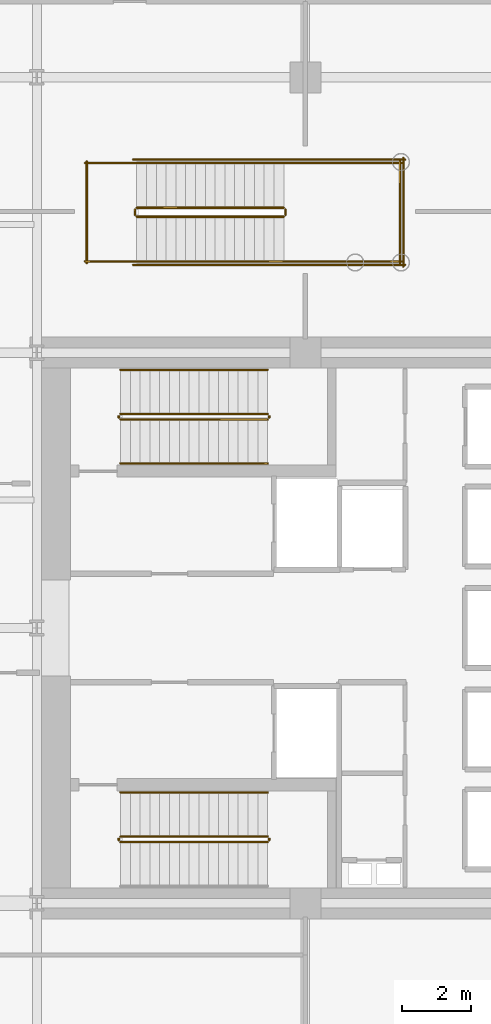
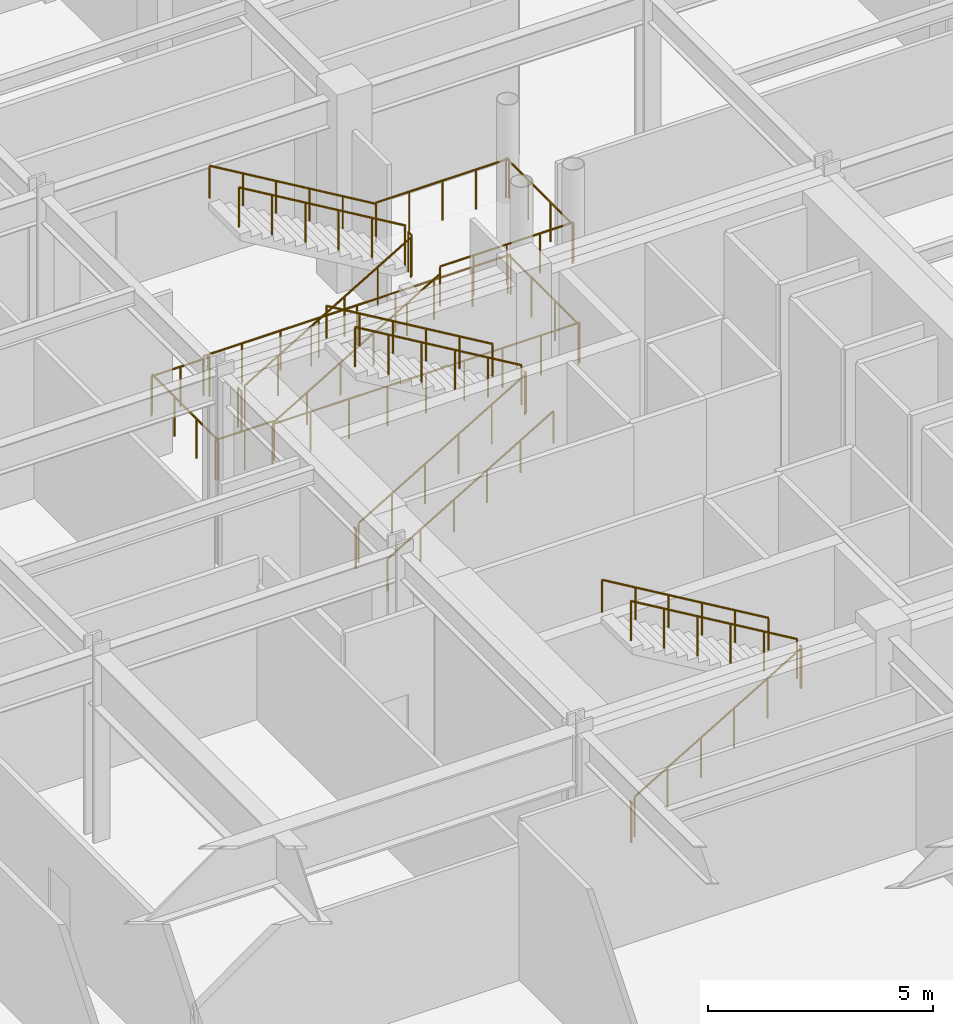
# One storey, part 13 of 13: 26 railings.
"""IFC4 building model written with IfcOpenShell, lengths in metres."""

from ifc_helpers import new_model, si_unit, direction, frame, origin, origin_2d, place, context, subcontext, project, spatial, circle, extrude, material, type_object, element, save


model = new_model("IFC4")

# Units and contexts
model_context = context("Model", 3, precision=1e-05, world=origin(), true_north=direction((0.0, 1.0)))
body_context = subcontext(model_context, "Body", "Model", "MODEL_VIEW")
ifc_project = project(units=[si_unit("LENGTHUNIT", "METRE"), si_unit("AREAUNIT", "SQUARE_METRE"), si_unit("VOLUMEUNIT", "CUBIC_METRE"), si_unit("PLANEANGLEUNIT", "RADIAN"), si_unit("MASSUNIT", "GRAM", prefix="KILO")], contexts=[model_context])

# Site, building, storey
site_placement = place(None, origin())
site = spatial("IfcSite", under=ifc_project, at=site_placement, CompositionType="ELEMENT")
building_placement = place(site_placement, origin())
building = spatial("IfcBuilding", under=site, at=building_placement, Name="Veymaron Broadcast Tower", CompositionType="ELEMENT")
storey_placement = place(building_placement, frame((0.0, 0.0, 21.60009765625)))
storey = spatial("IfcBuildingStorey", under=building, at=storey_placement, Name="L04", CompositionType="ELEMENT", Elevation=21.60009765625)

# Railings
ifc_material_1 = material(Name="Brushed stainless steel AISI 304", Category="steel")
railing_type_1 = type_object("IfcRailingType", Name="RAIL-STAIR-HR", PredefinedType="HANDRAIL", material=ifc_material_1)
railing_1_placement = place(storey_placement, frame((41.429931640625, 28.780029296875, 0.168701171875)))
element("IfcRailing", 1, at=railing_1_placement, inside=storey, type_object=railing_type_1, Name="L04 ST1 stair handrail 1", PredefinedType="HANDRAIL", context=body_context, shape_type="SweptSolid", body=[
    extrude(circle(Radius=0.02392578125, at=origin_2d()), frame((0.0, 0.0, 0.8759765625), z_axis=(0.860483042394, 0.0, 0.50947908078), x_axis=(0.0, 1.0, 0.0)), (0.0, 0.0, 1.0), 4.96826171875),
    extrude(circle(Radius=0.02099609375, at=origin_2d()), origin(), (0.0, 0.0, 1.0), 0.851806640625),
    extrude(circle(Radius=0.02099609375, at=origin_2d()), frame((0.85498046875, 0.0, 0.50634765625)), (0.0, 0.0, 1.0), 0.851806640625),
    extrude(circle(Radius=0.02099609375, at=origin_2d()), frame((1.7099609375, 0.0, 1.012451171875)), (0.0, 0.0, 1.0), 0.851806640625),
    extrude(circle(Radius=0.02099609375, at=origin_2d()), frame((2.565185546875, 0.0, 1.518798828125)), (0.0, 0.0, 1.0), 0.851806640625),
    extrude(circle(Radius=0.02099609375, at=origin_2d()), frame((3.420166015625, 0.0, 2.02490234375)), (0.0, 0.0, 1.0), 0.851806640625),
    extrude(circle(Radius=0.02099609375, at=origin_2d()), frame((4.275146484375, 0.0, 2.53125)), (0.0, 0.0, 1.0), 0.851806640625),
])
for number, where, name in (
    (2, (45.705078125, 31.5, 2.86865234375), "L04 ST1 stair handrail 2"),
    (3, (45.705078125, 19.219970703125, 2.86865234375), "L04 ST2 stair handrail 2"),
):
    element("IfcRailing", number, at=place(storey_placement, frame(where)), inside=storey, type_object=railing_type_1, Name=name, PredefinedType="HANDRAIL", context=body_context, shape_type="SweptSolid", body=[
        extrude(circle(Radius=0.02392578125, at=origin_2d()), frame((0.0, 0.0, 0.8759765625), z_axis=(-0.860483042394, 0.0, 0.50947908078), x_axis=(0.0, -1.0, 0.0)), (0.0, 0.0, 1.0), 4.96826171875),
        extrude(circle(Radius=0.02099609375, at=origin_2d()), origin(), (0.0, 0.0, 1.0), 0.851806640625),
        extrude(circle(Radius=0.02099609375, at=origin_2d()), frame((-0.85498046875, 0.0, 0.50634765625)), (0.0, 0.0, 1.0), 0.851806640625),
        extrude(circle(Radius=0.02099609375, at=origin_2d()), frame((-1.7099609375, 0.0, 1.012451171875)), (0.0, 0.0, 1.0), 0.851806640625),
        extrude(circle(Radius=0.02099609375, at=origin_2d()), frame((-2.565185546875, 0.0, 1.518798828125)), (0.0, 0.0, 1.0), 0.851806640625),
        extrude(circle(Radius=0.02099609375, at=origin_2d()), frame((-3.420166015625, 0.0, 2.02490234375)), (0.0, 0.0, 1.0), 0.851806640625),
        extrude(circle(Radius=0.02099609375, at=origin_2d()), frame((-4.275146484375, 0.0, 2.53125)), (0.0, 0.0, 1.0), 0.851806640625),
    ])
railing_2_placement = place(storey_placement, frame((41.89990234375, 34.64990234375, 0.168701171875)))
element("IfcRailing", 4, at=railing_2_placement, inside=storey, type_object=railing_type_1, Name="L04 STF1 stair handrail 1", PredefinedType="HANDRAIL", context=body_context, shape_type="SweptSolid", body=[
    extrude(circle(Radius=0.02392578125, at=origin_2d()), frame((0.0, 0.0, 0.8759765625), z_axis=(0.860483042394, 0.0, 0.50947908078), x_axis=(0.0, 1.0, 0.0)), (0.0, 0.0, 1.0), 4.96826171875),
    extrude(circle(Radius=0.02099609375, at=origin_2d()), origin(), (0.0, 0.0, 1.0), 0.851806640625),
    extrude(circle(Radius=0.02099609375, at=origin_2d()), frame((0.85498046875, 0.0, 0.50634765625)), (0.0, 0.0, 1.0), 0.851806640625),
    extrude(circle(Radius=0.02099609375, at=origin_2d()), frame((1.7099609375, 0.0, 1.012451171875)), (0.0, 0.0, 1.0), 0.851806640625),
    extrude(circle(Radius=0.02099609375, at=origin_2d()), frame((2.565185546875, 0.0, 1.518798828125)), (0.0, 0.0, 1.0), 0.851806640625),
    extrude(circle(Radius=0.02099609375, at=origin_2d()), frame((3.420166015625, 0.0, 2.02490234375)), (0.0, 0.0, 1.0), 0.851806640625),
    extrude(circle(Radius=0.02099609375, at=origin_2d()), frame((4.275146484375, 0.0, 2.53125)), (0.0, 0.0, 1.0), 0.851806640625),
])
railing_3_placement = place(storey_placement, frame((46.175048828125, 37.510009765625, 2.86865234375)))
element("IfcRailing", 5, at=railing_3_placement, inside=storey, type_object=railing_type_1, Name="L04 STF1 stair handrail 2", PredefinedType="HANDRAIL", context=body_context, shape_type="SweptSolid", body=[
    extrude(circle(Radius=0.02392578125, at=origin_2d()), frame((0.0, 0.0, 0.8759765625), z_axis=(-0.860483042394, 0.0, 0.50947908078), x_axis=(0.0, -1.0, 0.0)), (0.0, 0.0, 1.0), 4.96826171875),
    extrude(circle(Radius=0.02099609375, at=origin_2d()), origin(), (0.0, 0.0, 1.0), 0.851806640625),
    extrude(circle(Radius=0.02099609375, at=origin_2d()), frame((-0.85498046875, 0.0, 0.50634765625)), (0.0, 0.0, 1.0), 0.851806640625),
    extrude(circle(Radius=0.02099609375, at=origin_2d()), frame((-1.7099609375, 0.0, 1.012451171875)), (0.0, 0.0, 1.0), 0.851806640625),
    extrude(circle(Radius=0.02099609375, at=origin_2d()), frame((-2.565185546875, 0.0, 1.518798828125)), (0.0, 0.0, 1.0), 0.851806640625),
    extrude(circle(Radius=0.02099609375, at=origin_2d()), frame((-3.420166015625, 0.0, 2.02490234375)), (0.0, 0.0, 1.0), 0.851806640625),
    extrude(circle(Radius=0.02099609375, at=origin_2d()), frame((-4.275146484375, 0.0, 2.53125)), (0.0, 0.0, 1.0), 0.851806640625),
])
ifc_material_2 = material(Name="Painted galvanized steel balustrade", Category="steel")
railing_type_2 = type_object("IfcRailingType", Name="RAIL-WELL-GRD", PredefinedType="GUARDRAIL", material=ifc_material_2)
railing_4_placement = place(storey_placement, frame((41.429931640625, 30.06005859375, 0.168701171875)))
element("IfcRailing", 6, at=railing_4_placement, inside=storey, type_object=railing_type_2, Name="L04 ST1 stair guard 1", PredefinedType="GUARDRAIL", context=body_context, shape_type="SweptSolid", body=[
    extrude(circle(Radius=0.02392578125, at=origin_2d()), frame((0.0, 0.0, 1.076171875), z_axis=(0.860483042394, 0.0, 0.50947908078), x_axis=(0.0, 1.0, 0.0)), (0.0, 0.0, 1.0), 4.96826171875),
    extrude(circle(Radius=0.02099609375, at=origin_2d()), origin(), (0.0, 0.0, 1.0), 1.052001953125),
    extrude(circle(Radius=0.02099609375, at=origin_2d()), frame((0.85498046875, 0.0, 0.50634765625)), (0.0, 0.0, 1.0), 1.052001953125),
    extrude(circle(Radius=0.02099609375, at=origin_2d()), frame((1.7099609375, 0.0, 1.012451171875)), (0.0, 0.0, 1.0), 1.052001953125),
    extrude(circle(Radius=0.02099609375, at=origin_2d()), frame((2.565185546875, 0.0, 1.518798828125)), (0.0, 0.0, 1.0), 1.052001953125),
    extrude(circle(Radius=0.02099609375, at=origin_2d()), frame((3.420166015625, 0.0, 2.02490234375)), (0.0, 0.0, 1.0), 1.052001953125),
    extrude(circle(Radius=0.02099609375, at=origin_2d()), frame((4.275146484375, 0.0, 2.53125)), (0.0, 0.0, 1.0), 1.052001953125),
])
railing_5_placement = place(storey_placement, frame((45.7548828125, 30.110107421875, 2.699951171875)))
element("IfcRailing", 7, at=railing_5_placement, inside=storey, type_object=railing_type_2, Name="L04 ST1 stair guard 2", PredefinedType="GUARDRAIL", context=body_context, shape_type="SweptSolid", body=[
    extrude(circle(Radius=0.02392578125, at=origin_2d()), frame((0.0, 0.0, 1.076171875), z_axis=(0.0, 1.0, 0.0), x_axis=(-1.0, 0.0, 0.0)), (0.0, 0.0, 1.0), 0.059814453125),
    extrude(circle(Radius=0.02099609375, at=origin_2d()), origin(), (0.0, 0.0, 1.0), 1.052001953125),
])
railing_6_placement = place(storey_placement, frame((45.705078125, 30.219970703125, 2.86865234375)))
element("IfcRailing", 8, at=railing_6_placement, inside=storey, type_object=railing_type_2, Name="L04 ST1 stair guard 3", PredefinedType="GUARDRAIL", context=body_context, shape_type="SweptSolid", body=[
    extrude(circle(Radius=0.02392578125, at=origin_2d()), frame((0.0, 0.0, 1.076171875), z_axis=(-0.860483042394, 0.0, 0.50947908078), x_axis=(0.0, -1.0, 0.0)), (0.0, 0.0, 1.0), 4.96826171875),
    extrude(circle(Radius=0.02099609375, at=origin_2d()), origin(), (0.0, 0.0, 1.0), 1.052001953125),
    extrude(circle(Radius=0.02099609375, at=origin_2d()), frame((-0.85498046875, 0.0, 0.50634765625)), (0.0, 0.0, 1.0), 1.052001953125),
    extrude(circle(Radius=0.02099609375, at=origin_2d()), frame((-1.7099609375, 0.0, 1.012451171875)), (0.0, 0.0, 1.0), 1.052001953125),
    extrude(circle(Radius=0.02099609375, at=origin_2d()), frame((-2.565185546875, 0.0, 1.518798828125)), (0.0, 0.0, 1.0), 1.052001953125),
    extrude(circle(Radius=0.02099609375, at=origin_2d()), frame((-3.420166015625, 0.0, 2.02490234375)), (0.0, 0.0, 1.0), 1.052001953125),
    extrude(circle(Radius=0.02099609375, at=origin_2d()), frame((-4.275146484375, 0.0, 2.53125)), (0.0, 0.0, 1.0), 1.052001953125),
])
railing_7_placement = place(storey_placement, frame((41.3798828125, 30.110107421875, 0.0)))
element("IfcRailing", 9, at=railing_7_placement, inside=storey, type_object=railing_type_2, Name="L04 ST1 stair guard 4", PredefinedType="GUARDRAIL", context=body_context, shape_type="SweptSolid", body=[
    extrude(circle(Radius=0.02392578125, at=origin_2d()), frame((0.0, 0.0, 1.076171875), z_axis=(0.0, 1.0, 0.0), x_axis=(-1.0, 0.0, 0.0)), (0.0, 0.0, 1.0), 0.059814453125),
    extrude(circle(Radius=0.02099609375, at=origin_2d()), origin(), (0.0, 0.0, 1.0), 1.052001953125),
])
railing_8_placement = place(storey_placement, frame((41.429931640625, 17.780029296875, 0.168701171875)))
element("IfcRailing", 10, at=railing_8_placement, inside=storey, type_object=railing_type_2, Name="L04 ST2 stair guard 1", PredefinedType="GUARDRAIL", context=body_context, shape_type="SweptSolid", body=[
    extrude(circle(Radius=0.02392578125, at=origin_2d()), frame((0.0, 0.0, 1.076171875), z_axis=(0.860483042394, 0.0, 0.50947908078), x_axis=(0.0, 1.0, 0.0)), (0.0, 0.0, 1.0), 4.96826171875),
    extrude(circle(Radius=0.02099609375, at=origin_2d()), origin(), (0.0, 0.0, 1.0), 1.052001953125),
    extrude(circle(Radius=0.02099609375, at=origin_2d()), frame((0.85498046875, 0.0, 0.50634765625)), (0.0, 0.0, 1.0), 1.052001953125),
    extrude(circle(Radius=0.02099609375, at=origin_2d()), frame((1.7099609375, 0.0, 1.012451171875)), (0.0, 0.0, 1.0), 1.052001953125),
    extrude(circle(Radius=0.02099609375, at=origin_2d()), frame((2.565185546875, 0.0, 1.518798828125)), (0.0, 0.0, 1.0), 1.052001953125),
    extrude(circle(Radius=0.02099609375, at=origin_2d()), frame((3.420166015625, 0.0, 2.02490234375)), (0.0, 0.0, 1.0), 1.052001953125),
    extrude(circle(Radius=0.02099609375, at=origin_2d()), frame((4.275146484375, 0.0, 2.53125)), (0.0, 0.0, 1.0), 1.052001953125),
])
railing_9_placement = place(storey_placement, frame((45.7548828125, 17.830078125, 2.699951171875)))
element("IfcRailing", 11, at=railing_9_placement, inside=storey, type_object=railing_type_2, Name="L04 ST2 stair guard 2", PredefinedType="GUARDRAIL", context=body_context, shape_type="SweptSolid", body=[
    extrude(circle(Radius=0.02392578125, at=origin_2d()), frame((0.0, 0.0, 1.076171875), z_axis=(0.0, 1.0, 0.0), x_axis=(-1.0, 0.0, 0.0)), (0.0, 0.0, 1.0), 0.059814453125),
    extrude(circle(Radius=0.02099609375, at=origin_2d()), origin(), (0.0, 0.0, 1.0), 1.052001953125),
])
railing_10_placement = place(storey_placement, frame((45.705078125, 17.93994140625, 2.86865234375)))
element("IfcRailing", 12, at=railing_10_placement, inside=storey, type_object=railing_type_2, Name="L04 ST2 stair guard 3", PredefinedType="GUARDRAIL", context=body_context, shape_type="SweptSolid", body=[
    extrude(circle(Radius=0.02392578125, at=origin_2d()), frame((0.0, 0.0, 1.076171875), z_axis=(-0.860483042394, 0.0, 0.50947908078), x_axis=(0.0, -1.0, 0.0)), (0.0, 0.0, 1.0), 4.96826171875),
    extrude(circle(Radius=0.02099609375, at=origin_2d()), origin(), (0.0, 0.0, 1.0), 1.052001953125),
    extrude(circle(Radius=0.02099609375, at=origin_2d()), frame((-0.85498046875, 0.0, 0.50634765625)), (0.0, 0.0, 1.0), 1.052001953125),
    extrude(circle(Radius=0.02099609375, at=origin_2d()), frame((-1.7099609375, 0.0, 1.012451171875)), (0.0, 0.0, 1.0), 1.052001953125),
    extrude(circle(Radius=0.02099609375, at=origin_2d()), frame((-2.565185546875, 0.0, 1.518798828125)), (0.0, 0.0, 1.0), 1.052001953125),
    extrude(circle(Radius=0.02099609375, at=origin_2d()), frame((-3.420166015625, 0.0, 2.02490234375)), (0.0, 0.0, 1.0), 1.052001953125),
    extrude(circle(Radius=0.02099609375, at=origin_2d()), frame((-4.275146484375, 0.0, 2.53125)), (0.0, 0.0, 1.0), 1.052001953125),
])
railing_11_placement = place(storey_placement, frame((41.3798828125, 17.830078125, 0.0)))
element("IfcRailing", 13, at=railing_11_placement, inside=storey, type_object=railing_type_2, Name="L04 ST2 stair guard 4", PredefinedType="GUARDRAIL", context=body_context, shape_type="SweptSolid", body=[
    extrude(circle(Radius=0.02392578125, at=origin_2d()), frame((0.0, 0.0, 1.076171875), z_axis=(0.0, 1.0, 0.0), x_axis=(-1.0, 0.0, 0.0)), (0.0, 0.0, 1.0), 0.059814453125),
    extrude(circle(Radius=0.02099609375, at=origin_2d()), origin(), (0.0, 0.0, 1.0), 1.052001953125),
])
railing_12_placement = place(storey_placement, frame((41.89990234375, 35.949951171875, 0.168701171875)))
element("IfcRailing", 14, at=railing_12_placement, inside=storey, type_object=railing_type_2, Name="L04 STF1 stair guard 1", PredefinedType="GUARDRAIL", context=body_context, shape_type="SweptSolid", body=[
    extrude(circle(Radius=0.02392578125, at=origin_2d()), frame((0.0, 0.0, 1.076171875), z_axis=(0.860483042394, 0.0, 0.50947908078), x_axis=(0.0, 1.0, 0.0)), (0.0, 0.0, 1.0), 4.96826171875),
    extrude(circle(Radius=0.02099609375, at=origin_2d()), origin(), (0.0, 0.0, 1.0), 1.052001953125),
    extrude(circle(Radius=0.02099609375, at=origin_2d()), frame((0.85498046875, 0.0, 0.50634765625)), (0.0, 0.0, 1.0), 1.052001953125),
    extrude(circle(Radius=0.02099609375, at=origin_2d()), frame((1.7099609375, 0.0, 1.012451171875)), (0.0, 0.0, 1.0), 1.052001953125),
    extrude(circle(Radius=0.02099609375, at=origin_2d()), frame((2.565185546875, 0.0, 1.518798828125)), (0.0, 0.0, 1.0), 1.052001953125),
    extrude(circle(Radius=0.02099609375, at=origin_2d()), frame((3.420166015625, 0.0, 2.02490234375)), (0.0, 0.0, 1.0), 1.052001953125),
    extrude(circle(Radius=0.02099609375, at=origin_2d()), frame((4.275146484375, 0.0, 2.53125)), (0.0, 0.0, 1.0), 1.052001953125),
])
railing_13_placement = place(storey_placement, frame((46.22509765625, 36.0, 2.699951171875)))
element("IfcRailing", 15, at=railing_13_placement, inside=storey, type_object=railing_type_2, Name="L04 STF1 stair guard 2", PredefinedType="GUARDRAIL", context=body_context, shape_type="SweptSolid", body=[
    extrude(circle(Radius=0.02392578125, at=origin_2d()), frame((0.0, 0.0, 1.076171875), z_axis=(0.0, 1.0, 0.0), x_axis=(-1.0, 0.0, 0.0)), (0.0, 0.0, 1.0), 0.159912109375),
    extrude(circle(Radius=0.02099609375, at=origin_2d()), origin(), (0.0, 0.0, 1.0), 1.052001953125),
    extrude(circle(Radius=0.02099609375, at=origin_2d()), frame((0.0, 0.159912109375, 0.0)), (0.0, 0.0, 1.0), 1.052001953125),
])
for number, where, name in (
    (16, (46.175048828125, 34.64990234375, 2.699951171875), "L04 STF1 stair guard 3"),
    (17, (46.175048828125, 37.510009765625, 2.699951171875), "L04 STF1 stair guard 4"),
):
    element("IfcRailing", number, at=place(storey_placement, frame(where)), inside=storey, type_object=railing_type_2, Name=name, PredefinedType="GUARDRAIL", context=body_context, shape_type="SweptSolid", body=[
        extrude(circle(Radius=0.02392578125, at=origin_2d()), frame((0.0, 0.0, 1.076171875), z_axis=(1.0, 0.0, 0.0), x_axis=(0.0, 1.0, 0.0)), (0.0, 0.0, 1.0), 3.425048828125),
        extrude(circle(Radius=0.02099609375, at=origin_2d()), origin(), (0.0, 0.0, 1.0), 1.052001953125),
        extrude(circle(Radius=0.02099609375, at=origin_2d()), frame((0.856201171875, 0.0, 0.0)), (0.0, 0.0, 1.0), 1.052001953125),
        extrude(circle(Radius=0.02099609375, at=origin_2d()), frame((1.71240234375, 0.0, 0.0)), (0.0, 0.0, 1.0), 1.052001953125),
        extrude(circle(Radius=0.02099609375, at=origin_2d()), frame((2.56884765625, 0.0, 0.0)), (0.0, 0.0, 1.0), 1.052001953125),
        extrude(circle(Radius=0.02099609375, at=origin_2d()), frame((3.425048828125, 0.0, 0.0)), (0.0, 0.0, 1.0), 1.052001953125),
    ])
railing_14_placement = place(storey_placement, frame((49.550048828125, 34.60009765625, 2.699951171875)))
element("IfcRailing", 18, at=railing_14_placement, inside=storey, type_object=railing_type_2, Name="L04 STF1 stair guard 5", PredefinedType="GUARDRAIL", context=body_context, shape_type="SweptSolid", body=[
    extrude(circle(Radius=0.02392578125, at=origin_2d()), frame((0.0, 0.0, 1.076171875), z_axis=(0.0, 1.0, 0.0), x_axis=(-1.0, 0.0, 0.0)), (0.0, 0.0, 1.0), 2.9599609375),
    extrude(circle(Radius=0.02099609375, at=origin_2d()), origin(), (0.0, 0.0, 1.0), 1.052001953125),
    extrude(circle(Radius=0.02099609375, at=origin_2d()), frame((0.0, 0.986572265625, 0.0)), (0.0, 0.0, 1.0), 1.052001953125),
    extrude(circle(Radius=0.02099609375, at=origin_2d()), frame((0.0, 1.973388671875, 0.0)), (0.0, 0.0, 1.0), 1.052001953125),
    extrude(circle(Radius=0.02099609375, at=origin_2d()), frame((0.0, 2.9599609375, 0.0)), (0.0, 0.0, 1.0), 1.052001953125),
])
railing_15_placement = place(storey_placement, frame((46.175048828125, 36.2099609375, 2.86865234375)))
element("IfcRailing", 19, at=railing_15_placement, inside=storey, type_object=railing_type_2, Name="L04 STF1 stair guard 6", PredefinedType="GUARDRAIL", context=body_context, shape_type="SweptSolid", body=[
    extrude(circle(Radius=0.02392578125, at=origin_2d()), frame((0.0, 0.0, 1.076171875), z_axis=(-0.860483042394, 0.0, 0.50947908078), x_axis=(0.0, -1.0, 0.0)), (0.0, 0.0, 1.0), 4.96826171875),
    extrude(circle(Radius=0.02099609375, at=origin_2d()), origin(), (0.0, 0.0, 1.0), 1.052001953125),
    extrude(circle(Radius=0.02099609375, at=origin_2d()), frame((-0.85498046875, 0.0, 0.50634765625)), (0.0, 0.0, 1.0), 1.052001953125),
    extrude(circle(Radius=0.02099609375, at=origin_2d()), frame((-1.7099609375, 0.0, 1.012451171875)), (0.0, 0.0, 1.0), 1.052001953125),
    extrude(circle(Radius=0.02099609375, at=origin_2d()), frame((-2.565185546875, 0.0, 1.518798828125)), (0.0, 0.0, 1.0), 1.052001953125),
    extrude(circle(Radius=0.02099609375, at=origin_2d()), frame((-3.420166015625, 0.0, 2.02490234375)), (0.0, 0.0, 1.0), 1.052001953125),
    extrude(circle(Radius=0.02099609375, at=origin_2d()), frame((-4.275146484375, 0.0, 2.53125)), (0.0, 0.0, 1.0), 1.052001953125),
])
railing_16_placement = place(storey_placement, frame((41.85009765625, 36.0, 0.0)))
element("IfcRailing", 20, at=railing_16_placement, inside=storey, type_object=railing_type_2, Name="L04 STF1 stair guard 7", PredefinedType="GUARDRAIL", context=body_context, shape_type="SweptSolid", body=[
    extrude(circle(Radius=0.02392578125, at=origin_2d()), frame((0.0, 0.0, 1.076171875), z_axis=(0.0, 1.0, 0.0), x_axis=(-1.0, 0.0, 0.0)), (0.0, 0.0, 1.0), 0.159912109375),
    extrude(circle(Radius=0.02099609375, at=origin_2d()), origin(), (0.0, 0.0, 1.0), 1.052001953125),
    extrude(circle(Radius=0.02099609375, at=origin_2d()), frame((0.0, 0.159912109375, 0.0)), (0.0, 0.0, 1.0), 1.052001953125),
])
for number, where, name in (
    (21, (40.39990234375, 34.64990234375, 0.0), "L04 STF1 stair guard 8"),
    (22, (40.39990234375, 37.510009765625, 0.0), "L04 STF1 stair guard 9"),
):
    element("IfcRailing", number, at=place(storey_placement, frame(where)), inside=storey, type_object=railing_type_2, Name=name, PredefinedType="GUARDRAIL", context=body_context, shape_type="SweptSolid", body=[
        extrude(circle(Radius=0.02392578125, at=origin_2d()), frame((0.0, 0.0, 1.076171875), z_axis=(1.0, 0.0, 0.0), x_axis=(0.0, 1.0, 0.0)), (0.0, 0.0, 1.0), 1.5),
        extrude(circle(Radius=0.02099609375, at=origin_2d()), origin(), (0.0, 0.0, 1.0), 1.052001953125),
        extrude(circle(Radius=0.02099609375, at=origin_2d()), frame((0.75, 0.0, 0.0)), (0.0, 0.0, 1.0), 1.052001953125),
        extrude(circle(Radius=0.02099609375, at=origin_2d()), frame((1.5, 0.0, 0.0)), (0.0, 0.0, 1.0), 1.052001953125),
    ])
railing_17_placement = place(storey_placement, frame((40.449951171875, 34.60009765625, 0.0)))
element("IfcRailing", 23, at=railing_17_placement, inside=storey, type_object=railing_type_2, Name="L04 STF1 stair guard 10", PredefinedType="GUARDRAIL", context=body_context, shape_type="SweptSolid", body=[
    extrude(circle(Radius=0.02392578125, at=origin_2d()), frame((0.0, 0.0, 1.076171875), z_axis=(0.0, 1.0, 0.0), x_axis=(-1.0, 0.0, 0.0)), (0.0, 0.0, 1.0), 2.9599609375),
    extrude(circle(Radius=0.02099609375, at=origin_2d()), origin(), (0.0, 0.0, 1.0), 1.052001953125),
    extrude(circle(Radius=0.02099609375, at=origin_2d()), frame((0.0, 0.986572265625, 0.0)), (0.0, 0.0, 1.0), 1.052001953125),
    extrude(circle(Radius=0.02099609375, at=origin_2d()), frame((0.0, 1.973388671875, 0.0)), (0.0, 0.0, 1.0), 1.052001953125),
    extrude(circle(Radius=0.02099609375, at=origin_2d()), frame((0.0, 2.9599609375, 0.0)), (0.0, 0.0, 1.0), 1.052001953125),
])
for number, where, name in (
    (24, (41.800048828125, 34.550048828125, 0.0), "L04 STF1 stair guard 11"),
    (25, (41.800048828125, 37.610107421875, 0.0), "L04 STF1 stair guard 12"),
):
    element("IfcRailing", number, at=place(storey_placement, frame(where)), inside=storey, type_object=railing_type_2, Name=name, PredefinedType="GUARDRAIL", context=body_context, shape_type="SweptSolid", body=[
        extrude(circle(Radius=0.02392578125, at=origin_2d()), frame((0.0, 0.0, 1.076171875), z_axis=(1.0, 0.0, 0.0), x_axis=(0.0, 1.0, 0.0)), (0.0, 0.0, 1.0), 7.89990234375),
        extrude(circle(Radius=0.02099609375, at=origin_2d()), origin(), (0.0, 0.0, 1.0), 1.052001953125),
        extrude(circle(Radius=0.02099609375, at=origin_2d()), frame((0.987548828125, 0.0, 0.0)), (0.0, 0.0, 1.0), 1.052001953125),
        extrude(circle(Radius=0.02099609375, at=origin_2d()), frame((1.97509765625, 0.0, 0.0)), (0.0, 0.0, 1.0), 1.052001953125),
        extrude(circle(Radius=0.02099609375, at=origin_2d()), frame((2.96240234375, 0.0, 0.0)), (0.0, 0.0, 1.0), 1.052001953125),
        extrude(circle(Radius=0.02099609375, at=origin_2d()), frame((3.949951171875, 0.0, 0.0)), (0.0, 0.0, 1.0), 1.052001953125),
        extrude(circle(Radius=0.02099609375, at=origin_2d()), frame((4.9375, 0.0, 0.0)), (0.0, 0.0, 1.0), 1.052001953125),
        extrude(circle(Radius=0.02099609375, at=origin_2d()), frame((5.9248046875, 0.0, 0.0)), (0.0, 0.0, 1.0), 1.052001953125),
        extrude(circle(Radius=0.02099609375, at=origin_2d()), frame((6.912353515625, 0.0, 0.0)), (0.0, 0.0, 1.0), 1.052001953125),
        extrude(circle(Radius=0.02099609375, at=origin_2d()), frame((7.89990234375, 0.0, 0.0)), (0.0, 0.0, 1.0), 1.052001953125),
    ])
railing_18_placement = place(storey_placement, frame((49.64990234375, 34.5, 0.0)))
element("IfcRailing", 26, at=railing_18_placement, inside=storey, type_object=railing_type_2, Name="L04 STF1 stair guard 13", PredefinedType="GUARDRAIL", context=body_context, shape_type="SweptSolid", body=[
    extrude(circle(Radius=0.02392578125, at=origin_2d()), frame((0.0, 0.0, 1.076171875), z_axis=(0.0, 1.0, 0.0), x_axis=(-1.0, 0.0, 0.0)), (0.0, 0.0, 1.0), 3.159912109375),
    extrude(circle(Radius=0.02099609375, at=origin_2d()), origin(), (0.0, 0.0, 1.0), 1.052001953125),
    extrude(circle(Radius=0.02099609375, at=origin_2d()), frame((0.0, 1.05322265625, 0.0)), (0.0, 0.0, 1.0), 1.052001953125),
    extrude(circle(Radius=0.02099609375, at=origin_2d()), frame((0.0, 2.106689453125, 0.0)), (0.0, 0.0, 1.0), 1.052001953125),
    extrude(circle(Radius=0.02099609375, at=origin_2d()), frame((0.0, 3.159912109375, 0.0)), (0.0, 0.0, 1.0), 1.052001953125),
])

save(model, "model.ifc")
